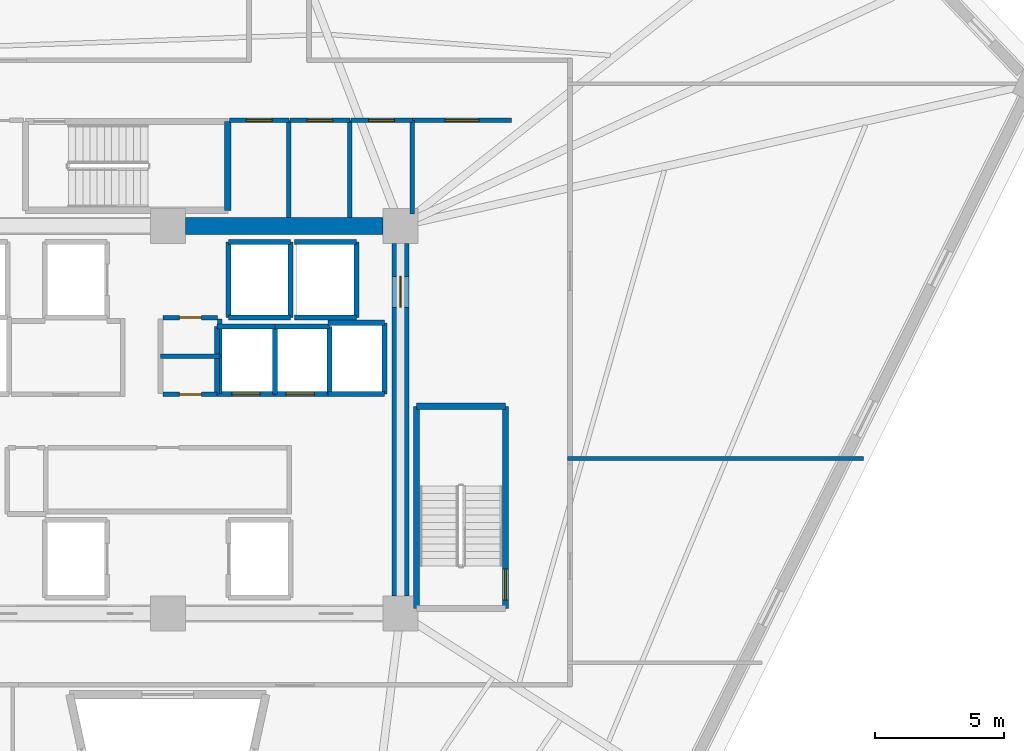
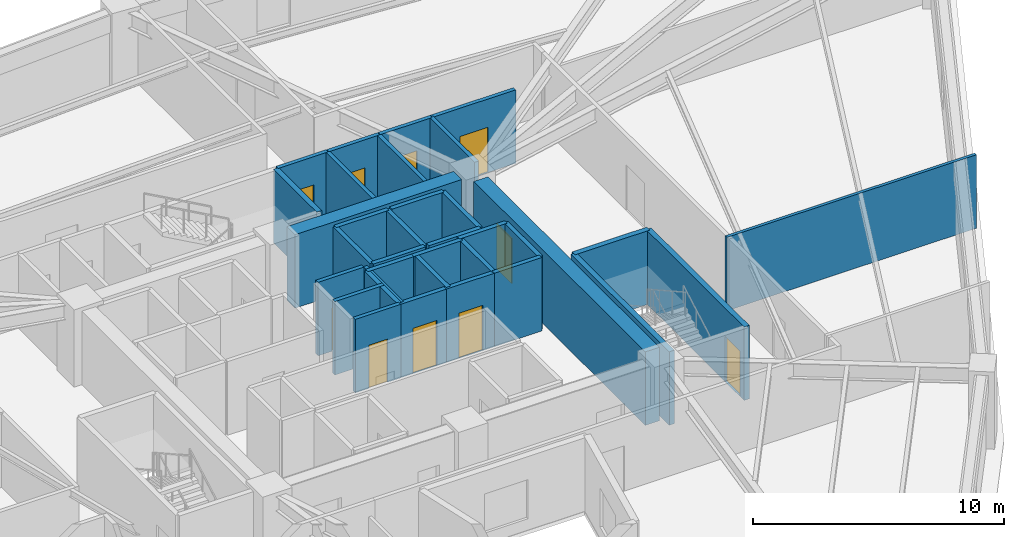
# One storey, part 6 of 8: 35 walls, 10 doors, 10 openings.
"""IFC4 building model written with IfcOpenShell, lengths in metres."""

from ifc_helpers import new_model, si_unit, direction, frame, frame_2d, origin, place, context, subcontext, project, spatial, rectangle, extrude, source, transform, mapped, material, layer, layer_set, type_object, element, fill, save


model = new_model("IFC4")

# Units and contexts
model_context = context("Model", 3, precision=1e-05, world=origin(), true_north=direction((0.0, 1.0)))
body_context = subcontext(model_context, "Body", "Model", "MODEL_VIEW")
ifc_project = project(units=[si_unit("LENGTHUNIT", "METRE"), si_unit("AREAUNIT", "SQUARE_METRE"), si_unit("VOLUMEUNIT", "CUBIC_METRE"), si_unit("PLANEANGLEUNIT", "RADIAN"), si_unit("MASSUNIT", "GRAM", prefix="KILO")], contexts=[model_context])

# Site, building, storey
site_placement = place(None, origin())
site = spatial("IfcSite", under=ifc_project, at=site_placement, CompositionType="ELEMENT")
building_placement = place(site_placement, origin())
building = spatial("IfcBuilding", under=site, at=building_placement, Name="Liaohun Quay Tower", CompositionType="ELEMENT")
storey_placement = place(building_placement, frame((0.0, 0.0, 213.0)))
storey = spatial("IfcBuildingStorey", under=building, at=storey_placement, Name="L55", CompositionType="ELEMENT", Elevation=213.0)

# Wall
ifc_material_1 = material(Name="Concrete C55", Category="concrete")
ifc_layer_1 = layer(ifc_material_1, 0.64990234375, Name="Concrete C55", Category="concrete")
ifc_layer_set_1 = layer_set([ifc_layer_1], Name="Concrete C55")
wall_type_1 = type_object("IfcWallType", Name="WAL-COR-Z3", PredefinedType="SHEAR", material=ifc_layer_set_1)
wall_1_placement = place(storey_placement, frame((60.675048828125, 61.5, 0.0), z_axis=(0.0, 0.0, 1.0), x_axis=(1.0, 0.0, 0.0)))
element("IfcWall", 1, at=wall_1_placement, inside=storey, type_object=wall_type_1, Name="L55 Central Core Shear Wall N-E", PredefinedType="SHEAR", context=body_context, shape_type="SweptSolid", body=[
    extrude(rectangle(XDim=7.64990234375, YDim=0.64990234375, at=frame_2d((3.824951171875, 0.0))), origin(), (0.0, 0.0, 1.0), 3.570068359375),
])

# Wall, opening, door
wall_2_placement = place(storey_placement, frame((69.0, 60.824951171875, 0.0), z_axis=(0.0, 0.0, 1.0), x_axis=(0.0, -1.0, 0.0)))
wall_2 = element("IfcWall", 2, at=wall_2_placement, inside=storey, type_object=wall_type_1, Name="L55 Central Core Shear Wall E", PredefinedType="SHEAR", context=body_context, shape_type="SweptSolid", body=[
    extrude(rectangle(XDim=13.64990234375, YDim=0.64990234375, at=frame_2d((6.824951171875, 0.0))), origin(), (0.0, 0.0, 1.0), 3.570068359375),
])
shared_shape_1 = source(origin(), body_context, "Body", "SweptSolid", [
    extrude(rectangle(XDim=1.199951171875, YDim=2.199951171875, at=frame_2d((0.60009765625, 1.10009765625))), frame((0.0, 0.3349609375, 0.0), z_axis=(0.0, -1.0, 0.0), x_axis=(1.0, 0.0, 0.0)), (0.0, 0.0, 1.0), 0.669921875),
])
opening_1_placement = place(wall_2_placement, frame((1.27490234375, 0.0, 0.0)))
opening_1 = element("IfcOpeningElement", 3, at=opening_1_placement, cuts=wall_2, Name="Opening SD1", PredefinedType="OPENING", context=body_context, shape_type="MappedRepresentation", body=[
    mapped(shared_shape_1, transform((0.0, 0.0, 0.0), x_axis=(1.0, 0.0, 0.0), y_axis=(0.0, 1.0, 0.0), z_axis=(0.0, 0.0, 1.0), scale=1.0)),
])
ifc_material_2 = material(Name="Galvanised steel fire door", Category="steel")
door_type_1 = type_object("IfcDoorType", Name="DOR-STR-1200", OperationType="NOTDEFINED", PredefinedType="DOOR", material=ifc_material_2)
shared_shape_2 = source(origin(), body_context, "Body", "SweptSolid", [
    extrude(rectangle(XDim=1.199951171875, YDim=2.199951171875, at=frame_2d((0.60009765625, 1.10009765625))), frame((0.0, 0.02490234375, 0.0), z_axis=(0.0, -1.0, 0.0), x_axis=(1.0, 0.0, 0.0)), (0.0, 0.0, 1.0), 0.050048828125),
])
door_1_placement = place(opening_1_placement, origin())
door_1 = element("IfcDoor", 4, at=door_1_placement, inside=storey, type_object=door_type_1, Name="L55 North-East Core Lobby Smokeproof Door", OperationType="SINGLE_SWING_LEFT", OverallHeight=2.199951171875, OverallWidth=1.199951171875, PredefinedType="DOOR", context=body_context, shape_type="MappedRepresentation", body=[
    mapped(shared_shape_2, transform((0.0, 0.0, 0.0), x_axis=(1.0, 0.0, 0.0), y_axis=(0.0, 1.0, 0.0), z_axis=(0.0, 0.0, 1.0), scale=1.0)),
])
fill(opening_1, door_1)

ifc_material_3 = material(Name="Autoclaved aerated concrete blockwork", Category="masonry")
ifc_layer_2 = layer(ifc_material_3, 0.179931640625, Name="Autoclaved aerated concrete blockwork", Category="masonry")
ifc_layer_set_2 = layer_set([ifc_layer_2], Name="Autoclaved aerated concrete blockwork")
wall_type_2 = type_object("IfcWallType", Name="WAL-PRT-COR", PredefinedType="PARTITIONING", material=ifc_layer_set_2)
wall_3_placement = place(storey_placement, frame((59.81005859375, 54.97998046875, 0.0), z_axis=(0.0, 0.0, 1.0), x_axis=(1.0, 0.0, 0.0)))
wall_3 = element("IfcWall", 5, at=wall_3_placement, inside=storey, type_object=wall_type_2, Name="L55 Interior Partition Wall 003", PredefinedType="PARTITIONING", context=body_context, shape_type="SweptSolid", body=[
    extrude(rectangle(XDim=2.08984375, YDim=0.179931640625, at=frame_2d((1.044921875, 0.0))), origin(), (0.0, 0.0, 1.0), 3.570068359375),
])
shared_shape_3 = source(origin(), body_context, "Body", "SweptSolid", [
    extrude(rectangle(XDim=0.85009765625, YDim=2.10009765625, at=frame_2d((0.425048828125, 1.050048828125))), frame((0.0, 0.099853515625, 0.0), z_axis=(0.0, -1.0, 0.0), x_axis=(1.0, 0.0, 0.0)), (0.0, 0.0, 1.0), 0.199951171875),
])
opening_2_placement = place(wall_3_placement, frame((0.635009765625, 0.0, 0.0)))
opening_2 = element("IfcOpeningElement", 6, at=opening_2_placement, cuts=wall_3, Name="Opening AD1", PredefinedType="OPENING", context=body_context, shape_type="MappedRepresentation", body=[
    mapped(shared_shape_3, transform((0.0, 0.0, 0.0), x_axis=(1.0, 0.0, 0.0), y_axis=(0.0, 1.0, 0.0), z_axis=(0.0, 0.0, 1.0), scale=1.0)),
])
ifc_material_4 = material(Name="Steel riser inspection fire door", Category="steel")
door_type_2 = type_object("IfcDoorType", Name="DOR-SHF-850", OperationType="NOTDEFINED", PredefinedType="DOOR", material=ifc_material_4)
shared_shape_4 = source(origin(), body_context, "Body", "SweptSolid", [
    extrude(rectangle(XDim=0.85009765625, YDim=2.10009765625, at=frame_2d((0.425048828125, 1.050048828125))), frame((0.0, 0.02490234375, 0.0), z_axis=(0.0, -1.0, 0.0), x_axis=(1.0, 0.0, 0.0)), (0.0, 0.0, 1.0), 0.050048828125),
])
door_2_placement = place(opening_2_placement, origin())
door_2 = element("IfcDoor", 7, at=door_2_placement, inside=storey, type_object=door_type_2, Name="L55 Electrical Riser Room Door", OperationType="SINGLE_SWING_RIGHT", OverallHeight=2.10009765625, OverallWidth=0.85009765625, PredefinedType="DOOR", context=body_context, shape_type="MappedRepresentation", body=[
    mapped(shared_shape_4, transform((0.0, 0.0, 0.0), x_axis=(1.0, 0.0, 0.0), y_axis=(0.0, 1.0, 0.0), z_axis=(0.0, 0.0, 1.0), scale=1.0)),
])
fill(opening_2, door_2)

wall_4_placement = place(storey_placement, frame((59.81005859375, 57.949951171875, 0.0), z_axis=(0.0, 0.0, 1.0), x_axis=(1.0, 0.0, 0.0)))
wall_4 = element("IfcWall", 8, at=wall_4_placement, inside=storey, type_object=wall_type_2, Name="L55 Interior Partition Wall 004", PredefinedType="PARTITIONING", context=body_context, shape_type="SweptSolid", body=[
    extrude(rectangle(XDim=2.10986328125, YDim=0.179931640625, at=frame_2d((1.054931640625, 0.0))), origin(), (0.0, 0.0, 1.0), 3.570068359375),
])
opening_3_placement = place(wall_4_placement, frame((0.635009765625, 0.0, 0.0)))
opening_3 = element("IfcOpeningElement", 9, at=opening_3_placement, cuts=wall_4, Name="Opening AD1", PredefinedType="OPENING", context=body_context, shape_type="MappedRepresentation", body=[
    mapped(shared_shape_3, transform((0.0, 0.0, 0.0), x_axis=(1.0, 0.0, 0.0), y_axis=(0.0, 1.0, 0.0), z_axis=(0.0, 0.0, 1.0), scale=1.0)),
])
door_3_placement = place(opening_3_placement, origin())
door_3 = element("IfcDoor", 10, at=door_3_placement, inside=storey, type_object=door_type_2, Name="L55 Telecom Comms Closet Door", OperationType="SINGLE_SWING_LEFT", OverallHeight=2.10009765625, OverallWidth=0.85009765625, PredefinedType="DOOR", context=body_context, shape_type="MappedRepresentation", body=[
    mapped(shared_shape_4, transform((0.0, 0.0, 0.0), x_axis=(1.0, 0.0, 0.0), y_axis=(0.0, 1.0, 0.0), z_axis=(0.0, 0.0, 1.0), scale=1.0)),
])
fill(opening_3, door_3)

wall_5_placement = place(storey_placement, frame((62.389892578125, 65.580078125, 0.0), z_axis=(0.0, 0.0, 1.0), x_axis=(1.0, 0.0, 0.0)))
wall_5 = element("IfcWall", 11, at=wall_5_placement, inside=storey, type_object=wall_type_2, Name="L55 Interior Partition Wall 011", PredefinedType="PARTITIONING", context=body_context, shape_type="SweptSolid", body=[
    extrude(rectangle(XDim=2.2900390625, YDim=0.179931640625, at=frame_2d((1.14501953125, 0.0))), origin(), (0.0, 0.0, 1.0), 3.570068359375),
])
shared_shape_5 = source(origin(), body_context, "Body", "SweptSolid", [
    extrude(rectangle(XDim=1.0, YDim=2.199951171875, at=frame_2d((0.5, 1.10009765625))), frame((0.0, 0.099853515625, 0.0), z_axis=(0.0, -1.0, 0.0), x_axis=(1.0, 0.0, 0.0)), (0.0, 0.0, 1.0), 0.199951171875),
])
opening_4_placement = place(wall_5_placement, frame((0.64501953125, 0.0, 0.0)))
opening_4 = element("IfcOpeningElement", 12, at=opening_4_placement, cuts=wall_5, Name="Opening OD1", PredefinedType="OPENING", context=body_context, shape_type="MappedRepresentation", body=[
    mapped(shared_shape_5, transform((0.0, 0.0, 0.0), x_axis=(1.0, 0.0, 0.0), y_axis=(0.0, 1.0, 0.0), z_axis=(0.0, 0.0, 1.0), scale=1.0)),
])
ifc_material_5 = material(Name="Solid-core oak veneer timber leaf in steel frame", Category="steel")
door_type_3 = type_object("IfcDoorType", Name="DOR-OFF-1000", OperationType="NOTDEFINED", PredefinedType="DOOR", material=ifc_material_5)
shared_shape_6 = source(origin(), body_context, "Body", "SweptSolid", [
    extrude(rectangle(XDim=1.0, YDim=2.199951171875, at=frame_2d((0.5, 1.10009765625))), frame((0.0, 0.02490234375, 0.0), z_axis=(0.0, -1.0, 0.0), x_axis=(1.0, 0.0, 0.0)), (0.0, 0.0, 1.0), 0.050048828125),
])
door_4_placement = place(opening_4_placement, origin())
door_4 = element("IfcDoor", 13, at=door_4_placement, inside=storey, type_object=door_type_3, Name="L55 North-East Mail Store Door", OperationType="SINGLE_SWING_RIGHT", OverallHeight=2.199951171875, OverallWidth=1.0, PredefinedType="DOOR", context=body_context, shape_type="MappedRepresentation", body=[
    mapped(shared_shape_6, transform((0.0, 0.0, 0.0), x_axis=(1.0, 0.0, 0.0), y_axis=(0.0, 1.0, 0.0), z_axis=(0.0, 0.0, 1.0), scale=1.0)),
])
fill(opening_4, door_4)

wall_6_placement = place(storey_placement, frame((64.719970703125, 65.580078125, 0.0), z_axis=(0.0, 0.0, 1.0), x_axis=(1.0, 0.0, 0.0)))
wall_6 = element("IfcWall", 14, at=wall_6_placement, inside=storey, type_object=wall_type_2, Name="L55 Interior Partition Wall 012", PredefinedType="PARTITIONING", context=body_context, shape_type="SweptSolid", body=[
    extrude(rectangle(XDim=2.320068359375, YDim=0.179931640625, at=frame_2d((1.16015625, 0.0))), origin(), (0.0, 0.0, 1.0), 3.570068359375),
])
opening_5_placement = place(wall_6_placement, frame((0.659912109375, 0.0, 0.0)))
opening_5 = element("IfcOpeningElement", 15, at=opening_5_placement, cuts=wall_6, Name="Opening OD1", PredefinedType="OPENING", context=body_context, shape_type="MappedRepresentation", body=[
    mapped(shared_shape_5, transform((0.0, 0.0, 0.0), x_axis=(1.0, 0.0, 0.0), y_axis=(0.0, 1.0, 0.0), z_axis=(0.0, 0.0, 1.0), scale=1.0)),
])
door_5_placement = place(opening_5_placement, origin())
door_5 = element("IfcDoor", 16, at=door_5_placement, inside=storey, type_object=door_type_3, Name="L55 North-East Comms Room Door", OperationType="SINGLE_SWING_LEFT", OverallHeight=2.199951171875, OverallWidth=1.0, PredefinedType="DOOR", context=body_context, shape_type="MappedRepresentation", body=[
    mapped(shared_shape_6, transform((0.0, 0.0, 0.0), x_axis=(1.0, 0.0, 0.0), y_axis=(0.0, 1.0, 0.0), z_axis=(0.0, 0.0, 1.0), scale=1.0)),
])
fill(opening_5, door_5)

wall_7_placement = place(storey_placement, frame((67.080078125, 65.580078125, 0.0), z_axis=(0.0, 0.0, 1.0), x_axis=(1.0, 0.0, 0.0)))
wall_7 = element("IfcWall", 17, at=wall_7_placement, inside=storey, type_object=wall_type_2, Name="L55 Interior Partition Wall 013", PredefinedType="PARTITIONING", context=body_context, shape_type="SweptSolid", body=[
    extrude(rectangle(XDim=2.3798828125, YDim=0.179931640625, at=frame_2d((1.18994140625, 0.0))), origin(), (0.0, 0.0, 1.0), 3.570068359375),
])
opening_6_placement = place(wall_7_placement, frame((0.68994140625, 0.0, 0.0)))
opening_6 = element("IfcOpeningElement", 18, at=opening_6_placement, cuts=wall_7, Name="Opening OD1", PredefinedType="OPENING", context=body_context, shape_type="MappedRepresentation", body=[
    mapped(shared_shape_5, transform((0.0, 0.0, 0.0), x_axis=(1.0, 0.0, 0.0), y_axis=(0.0, 1.0, 0.0), z_axis=(0.0, 0.0, 1.0), scale=1.0)),
])
door_6_placement = place(opening_6_placement, origin())
door_6 = element("IfcDoor", 19, at=door_6_placement, inside=storey, type_object=door_type_3, Name="L55 North-East Cleaner Store Door", OperationType="SINGLE_SWING_RIGHT", OverallHeight=2.199951171875, OverallWidth=1.0, PredefinedType="DOOR", context=body_context, shape_type="MappedRepresentation", body=[
    mapped(shared_shape_6, transform((0.0, 0.0, 0.0), x_axis=(1.0, 0.0, 0.0), y_axis=(0.0, 1.0, 0.0), z_axis=(0.0, 0.0, 1.0), scale=1.0)),
])
fill(opening_6, door_6)

wall_8_placement = place(storey_placement, frame((69.4599609375, 65.580078125, 0.0), z_axis=(0.0, 0.0, 1.0), x_axis=(1.0, 0.0, 0.0)))
wall_8 = element("IfcWall", 20, at=wall_8_placement, inside=storey, type_object=wall_type_2, Name="L55 Interior Partition Wall 015", PredefinedType="PARTITIONING", context=body_context, shape_type="SweptSolid", body=[
    extrude(rectangle(XDim=3.840087890625, YDim=0.179931640625, at=frame_2d((1.919921875, 0.0))), origin(), (0.0, 0.0, 1.0), 3.570068359375),
])
shared_shape_7 = source(origin(), body_context, "Body", "SweptSolid", [
    extrude(rectangle(XDim=1.300048828125, YDim=2.199951171875, at=frame_2d((0.64990234375, 1.10009765625))), frame((0.0, 0.099853515625, 0.0), z_axis=(0.0, -1.0, 0.0), x_axis=(1.0, 0.0, 0.0)), (0.0, 0.0, 1.0), 0.199951171875),
])
opening_7_placement = place(wall_8_placement, frame((1.27001953125, 0.0, 0.0)))
opening_7 = element("IfcOpeningElement", 21, at=opening_7_placement, cuts=wall_8, Name="Opening FD1", PredefinedType="OPENING", context=body_context, shape_type="MappedRepresentation", body=[
    mapped(shared_shape_7, transform((0.0, 0.0, 0.0), x_axis=(1.0, 0.0, 0.0), y_axis=(0.0, 1.0, 0.0), z_axis=(0.0, 0.0, 1.0), scale=1.0)),
])
ifc_material_6 = material(Name="Galvanised steel smokeproof fire door", Category="steel")
door_type_4 = type_object("IfcDoorType", Name="DOR-FFL-1300", OperationType="NOTDEFINED", PredefinedType="DOOR", material=ifc_material_6)
shared_shape_8 = source(origin(), body_context, "Body", "SweptSolid", [
    extrude(rectangle(XDim=1.300048828125, YDim=2.199951171875, at=frame_2d((0.64990234375, 1.10009765625))), frame((0.0, 0.02490234375, 0.0), z_axis=(0.0, -1.0, 0.0), x_axis=(1.0, 0.0, 0.0)), (0.0, 0.0, 1.0), 0.050048828125),
])
door_7_placement = place(opening_7_placement, origin())
door_7 = element("IfcDoor", 22, at=door_7_placement, inside=storey, type_object=door_type_4, Name="L55 East Core Vestibule Door", OperationType="SINGLE_SWING_RIGHT", OverallHeight=2.199951171875, OverallWidth=1.300048828125, PredefinedType="DOOR", context=body_context, shape_type="MappedRepresentation", body=[
    mapped(shared_shape_8, transform((0.0, 0.0, 0.0), x_axis=(1.0, 0.0, 0.0), y_axis=(0.0, 1.0, 0.0), z_axis=(0.0, 0.0, 1.0), scale=1.0)),
])
fill(opening_7, door_7)

# Walls
wall_9_placement = place(storey_placement, frame((62.010009765625, 55.02001953125, 0.0), z_axis=(0.0, 0.0, 1.0), x_axis=(0.0, 1.0, 0.0)))
element("IfcWall", 23, at=wall_9_placement, inside=storey, type_object=wall_type_2, Name="L55 Interior Partition Wall 025", PredefinedType="PARTITIONING", context=body_context, shape_type="SweptSolid", body=[
    extrude(rectangle(XDim=2.8798828125, YDim=0.179931640625, at=frame_2d((1.43994140625, 0.0))), origin(), (0.0, 0.0, 1.0), 3.570068359375),
])
wall_10_placement = place(storey_placement, frame((59.719970703125, 56.4599609375, 0.0), z_axis=(0.0, 0.0, 1.0), x_axis=(1.0, 0.0, 0.0)))
element("IfcWall", 24, at=wall_10_placement, inside=storey, type_object=wall_type_2, Name="L55 Interior Partition Wall 026", PredefinedType="PARTITIONING", context=body_context, shape_type="SweptSolid", body=[
    extrude(rectangle(XDim=2.2900390625, YDim=0.179931640625, at=frame_2d((1.14501953125, 0.0))), origin(), (0.0, 0.0, 1.0), 3.570068359375),
])
for number, where, z_axis, x_axis, name in (
    (25, (64.679931640625, 61.824951171875, 0.0), (0.0, 0.0, 1.0), (0.0, 1.0, 0.0), "L55 Interior Partition Wall 037"),
    (26, (67.0400390625, 61.824951171875, 0.0), (0.0, 0.0, 1.0), (0.0, 1.0, 0.0), "L55 Interior Partition Wall 038"),
):
    element("IfcWall", number, at=place(storey_placement, frame(where, z_axis=z_axis, x_axis=x_axis)), inside=storey, type_object=wall_type_2, Name=name, PredefinedType="PARTITIONING", context=body_context, shape_type="SweptSolid", body=[
        extrude(rectangle(XDim=3.755126953125, YDim=0.179931640625, at=frame_2d((1.87744140625, 0.0))), origin(), (0.0, 0.0, 1.0), 3.570068359375),
    ])
wall_11_placement = place(storey_placement, frame((69.4599609375, 61.949951171875, 0.0), z_axis=(0.0, 0.0, 1.0), x_axis=(0.0, 1.0, 0.0)))
element("IfcWall", 27, at=wall_11_placement, inside=storey, type_object=wall_type_2, Name="L55 Interior Partition Wall 039", PredefinedType="PARTITIONING", context=body_context, shape_type="SweptSolid", body=[
    extrude(rectangle(XDim=3.630126953125, YDim=0.179931640625, at=frame_2d((1.81494140625, 0.0))), origin(), (0.0, 0.0, 1.0), 3.570068359375),
])
ifc_material_7 = material(Name="Gypsum board on twin steel studs", Category="steel")
ifc_layer_3 = layer(ifc_material_7, 0.139892578125, Name="Gypsum board on twin steel studs", Category="steel")
ifc_layer_set_3 = layer_set([ifc_layer_3], Name="Gypsum board on twin steel studs")
wall_type_3 = type_object("IfcWallType", Name="WAL-PRT-OFF", PredefinedType="PARTITIONING", material=ifc_layer_set_3)
wall_12_placement = place(storey_placement, frame((75.4599609375, 52.5, 0.0), z_axis=(0.0, 0.0, 1.0), x_axis=(1.0, 0.0, 0.0)))
element("IfcWall", 28, at=wall_12_placement, inside=storey, type_object=wall_type_3, Name="L55 Interior Partition Wall 052", PredefinedType="PARTITIONING", context=body_context, shape_type="SweptSolid", body=[
    extrude(rectangle(XDim=11.4521484375, YDim=0.139892578125, at=frame_2d((5.72607421875, 0.0))), origin(), (0.0, 0.0, 1.0), 3.570068359375),
])

# Wall, opening, door
ifc_material_8 = material(Name="Concrete C50", Category="concrete")
ifc_layer_4 = layer(ifc_material_8, 0.239990234375, Name="Concrete C50", Category="concrete")
ifc_layer_set_4 = layer_set([ifc_layer_4], Name="Concrete C50")
wall_type_4 = type_object("IfcWallType", Name="WAL-SHF-200", PredefinedType="SOLIDWALL", material=ifc_layer_set_4)
wall_13_placement = place(storey_placement, frame((73.06005859375, 46.699951171875, 0.0), z_axis=(0.0, 0.0, 1.0), x_axis=(0.0, 1.0, 0.0)))
wall_13 = element("IfcWall", 29, at=wall_13_placement, inside=storey, type_object=wall_type_4, Name="L55 Stairwell ST-2 Structural Core Wall E", PredefinedType="SOLIDWALL", context=body_context, shape_type="SweptSolid", body=[
    extrude(rectangle(XDim=7.820068359375, YDim=0.239990234375, at=frame_2d((3.91015625, 0.0))), origin(), (0.0, 0.0, 1.0), 3.570068359375),
])
shared_shape_9 = source(origin(), body_context, "Body", "SweptSolid", [
    extrude(rectangle(XDim=1.199951171875, YDim=2.199951171875, at=frame_2d((0.60009765625, 1.10009765625))), frame((0.0, 0.1298828125, 0.0), z_axis=(0.0, -1.0, 0.0), x_axis=(1.0, 0.0, 0.0)), (0.0, 0.0, 1.0), 0.260009765625),
])
opening_8_placement = place(wall_13_placement, frame((0.320068359375, 0.0, 0.0)))
opening_8 = element("IfcOpeningElement", 30, at=opening_8_placement, cuts=wall_13, Name="Opening SD1", PredefinedType="OPENING", context=body_context, shape_type="MappedRepresentation", body=[
    mapped(shared_shape_9, transform((0.0, 0.0, 0.0), x_axis=(1.0, 0.0, 0.0), y_axis=(0.0, 1.0, 0.0), z_axis=(0.0, 0.0, 1.0), scale=1.0)),
])
door_8_placement = place(opening_8_placement, origin())
door_8 = element("IfcDoor", 31, at=door_8_placement, inside=storey, type_object=door_type_1, Name="L55 Protected Stair ST-2 Fire Door", OperationType="SINGLE_SWING_RIGHT", OverallHeight=2.199951171875, OverallWidth=1.199951171875, PredefinedType="DOOR", context=body_context, shape_type="MappedRepresentation", body=[
    mapped(shared_shape_2, transform((0.0, 0.0, 0.0), x_axis=(1.0, 0.0, 0.0), y_axis=(0.0, 1.0, 0.0), z_axis=(0.0, 0.0, 1.0), scale=1.0)),
])
fill(opening_8, door_8)

# Walls
wall_14_placement = place(storey_placement, frame((73.06005859375, 54.52001953125, 0.0), z_axis=(0.0, 0.0, 1.0), x_axis=(-1.0, 0.0, 0.0)))
element("IfcWall", 32, at=wall_14_placement, inside=storey, type_object=wall_type_4, Name="L55 Stairwell ST-2 Structural Core Wall N", PredefinedType="SOLIDWALL", context=body_context, shape_type="SweptSolid", body=[
    extrude(rectangle(XDim=3.43994140625, YDim=0.239990234375, at=frame_2d((1.719970703125, 0.0))), origin(), (0.0, 0.0, 1.0), 3.570068359375),
])
wall_15_placement = place(storey_placement, frame((69.6201171875, 54.52001953125, 0.0), z_axis=(0.0, 0.0, 1.0), x_axis=(0.0, -1.0, 0.0)))
element("IfcWall", 33, at=wall_15_placement, inside=storey, type_object=wall_type_4, Name="L55 Stairwell ST-2 Structural Core Wall W", PredefinedType="SOLIDWALL", context=body_context, shape_type="SweptSolid", body=[
    extrude(rectangle(XDim=7.820068359375, YDim=0.239990234375, at=frame_2d((3.91015625, 0.0))), origin(), (0.0, 0.0, 1.0), 3.570068359375),
])
wall_16_placement = place(storey_placement, frame((62.320068359375, 62.10009765625, 0.0), z_axis=(0.0, 0.0, 1.0), x_axis=(0.0, 1.0, 0.0)))
element("IfcWall", 34, at=wall_16_placement, inside=storey, type_object=wall_type_4, Name="L55 Stairwell ST-3 Structural Core Wall E", PredefinedType="SOLIDWALL", context=body_context, shape_type="SweptSolid", body=[
    extrude(rectangle(XDim=3.43994140625, YDim=0.239990234375, at=frame_2d((1.719970703125, 0.0))), origin(), (0.0, 0.0, 1.0), 3.570068359375),
])
wall_17_placement = place(storey_placement, frame((62.35009765625, 57.949951171875, 0.0), z_axis=(0.0, 0.0, 1.0), x_axis=(1.0, 0.0, 0.0)))
element("IfcWall", 35, at=wall_17_placement, inside=storey, type_object=wall_type_4, Name="L55 Lift OB-01 Hoistway Wall S", PredefinedType="SOLIDWALL", context=body_context, shape_type="SweptSolid", body=[
    extrude(rectangle(XDim=2.39990234375, YDim=0.199951171875, at=frame_2d((1.199951171875, 0.0))), origin(), (0.0, 0.0, 1.0), 3.570068359375),
])
wall_18_placement = place(storey_placement, frame((64.75, 57.949951171875, 0.0), z_axis=(0.0, 0.0, 1.0), x_axis=(0.0, 1.0, 0.0)))
element("IfcWall", 36, at=wall_18_placement, inside=storey, type_object=wall_type_4, Name="L55 Lift OB-01 Hoistway Wall E", PredefinedType="SOLIDWALL", context=body_context, shape_type="SweptSolid", body=[
    extrude(rectangle(XDim=2.929931640625, YDim=0.199951171875, at=frame_2d((1.46484375, 0.0))), origin(), (0.0, 0.0, 1.0), 3.570068359375),
])
wall_19_placement = place(storey_placement, frame((64.75, 60.8798828125, 0.0), z_axis=(0.0, 0.0, 1.0), x_axis=(-1.0, 0.0, 0.0)))
element("IfcWall", 37, at=wall_19_placement, inside=storey, type_object=wall_type_4, Name="L55 Lift OB-01 Hoistway Wall N", PredefinedType="SOLIDWALL", context=body_context, shape_type="SweptSolid", body=[
    extrude(rectangle(XDim=2.39990234375, YDim=0.199951171875, at=frame_2d((1.199951171875, 0.0))), origin(), (0.0, 0.0, 1.0), 3.570068359375),
])
wall_20_placement = place(storey_placement, frame((62.35009765625, 60.8798828125, 0.0), z_axis=(0.0, 0.0, 1.0), x_axis=(0.0, -1.0, 0.0)))
element("IfcWall", 38, at=wall_20_placement, inside=storey, type_object=wall_type_4, Name="L55 Lift OB-01 Hoistway Wall W", PredefinedType="SOLIDWALL", context=body_context, shape_type="SweptSolid", body=[
    extrude(rectangle(XDim=2.929931640625, YDim=0.199951171875, at=frame_2d((1.46484375, 0.0))), origin(), (0.0, 0.0, 1.0), 3.570068359375),
])
wall_21_placement = place(storey_placement, frame((64.89990234375, 57.949951171875, 0.0), z_axis=(0.0, 0.0, 1.0), x_axis=(1.0, 0.0, 0.0)))
element("IfcWall", 39, at=wall_21_placement, inside=storey, type_object=wall_type_4, Name="L55 Lift OB-02 Hoistway Wall S", PredefinedType="SOLIDWALL", context=body_context, shape_type="SweptSolid", body=[
    extrude(rectangle(XDim=2.400146484375, YDim=0.199951171875, at=frame_2d((1.2001953125, 0.0))), origin(), (0.0, 0.0, 1.0), 3.570068359375),
])
wall_22_placement = place(storey_placement, frame((67.300048828125, 57.949951171875, 0.0), z_axis=(0.0, 0.0, 1.0), x_axis=(0.0, 1.0, 0.0)))
element("IfcWall", 40, at=wall_22_placement, inside=storey, type_object=wall_type_4, Name="L55 Lift OB-02 Hoistway Wall E", PredefinedType="SOLIDWALL", context=body_context, shape_type="SweptSolid", body=[
    extrude(rectangle(XDim=2.929931640625, YDim=0.199951171875, at=frame_2d((1.46484375, 0.0))), origin(), (0.0, 0.0, 1.0), 3.570068359375),
])
wall_23_placement = place(storey_placement, frame((67.300048828125, 60.8798828125, 0.0), z_axis=(0.0, 0.0, 1.0), x_axis=(-1.0, 0.0, 0.0)))
element("IfcWall", 41, at=wall_23_placement, inside=storey, type_object=wall_type_4, Name="L55 Lift OB-02 Hoistway Wall N", PredefinedType="SOLIDWALL", context=body_context, shape_type="SweptSolid", body=[
    extrude(rectangle(XDim=2.400146484375, YDim=0.199951171875, at=frame_2d((1.2001953125, 0.0))), origin(), (0.0, 0.0, 1.0), 3.570068359375),
])
wall_24_placement = place(storey_placement, frame((66.199951171875, 55.0, 0.0), z_axis=(0.0, 0.0, 1.0), x_axis=(1.0, 0.0, 0.0)))
element("IfcWall", 42, at=wall_24_placement, inside=storey, type_object=wall_type_4, Name="L55 Lift SH-03 Hoistway Wall S", PredefinedType="SOLIDWALL", context=body_context, shape_type="SweptSolid", body=[
    extrude(rectangle(XDim=2.179931640625, YDim=0.199951171875, at=frame_2d((1.08984375, 0.0))), origin(), (0.0, 0.0, 1.0), 3.570068359375),
])
wall_25_placement = place(storey_placement, frame((68.3798828125, 55.0, 0.0), z_axis=(0.0, 0.0, 1.0), x_axis=(0.0, 1.0, 0.0)))
element("IfcWall", 43, at=wall_25_placement, inside=storey, type_object=wall_type_4, Name="L55 Lift SH-03 Hoistway Wall E", PredefinedType="SOLIDWALL", context=body_context, shape_type="SweptSolid", body=[
    extrude(rectangle(XDim=2.75, YDim=0.199951171875, at=frame_2d((1.375, 0.0))), origin(), (0.0, 0.0, 1.0), 3.570068359375),
])
wall_26_placement = place(storey_placement, frame((68.3798828125, 57.75, 0.0), z_axis=(0.0, 0.0, 1.0), x_axis=(-1.0, 0.0, 0.0)))
element("IfcWall", 44, at=wall_26_placement, inside=storey, type_object=wall_type_4, Name="L55 Lift SH-03 Hoistway Wall N", PredefinedType="SOLIDWALL", context=body_context, shape_type="SweptSolid", body=[
    extrude(rectangle(XDim=2.179931640625, YDim=0.199951171875, at=frame_2d((1.08984375, 0.0))), origin(), (0.0, 0.0, 1.0), 3.570068359375),
])

# Wall, opening, door
wall_27_placement = place(storey_placement, frame((61.89990234375, 55.0, 0.0), z_axis=(0.0, 0.0, 1.0), x_axis=(1.0, 0.0, 0.0)))
wall_27 = element("IfcWall", 45, at=wall_27_placement, inside=storey, type_object=wall_type_4, Name="L55 Lift PL-3A Hoistway Wall S", PredefinedType="SOLIDWALL", context=body_context, shape_type="SweptSolid", body=[
    extrude(rectangle(XDim=2.25, YDim=0.199951171875, at=frame_2d((1.125, 0.0))), origin(), (0.0, 0.0, 1.0), 3.570068359375),
])
shared_shape_10 = source(origin(), body_context, "Body", "SweptSolid", [
    extrude(rectangle(XDim=1.10009765625, YDim=2.199951171875, at=frame_2d((0.550048828125, 1.10009765625))), frame((0.0, 0.10986328125, 0.0), z_axis=(0.0, -1.0, 0.0), x_axis=(1.0, 0.0, 0.0)), (0.0, 0.0, 1.0), 0.219970703125),
])
opening_9_placement = place(wall_27_placement, frame((0.574951171875, 0.0, 0.0)))
opening_9 = element("IfcOpeningElement", 46, at=opening_9_placement, cuts=wall_27, Name="Opening LD1", PredefinedType="OPENING", context=body_context, shape_type="MappedRepresentation", body=[
    mapped(shared_shape_10, transform((0.0, 0.0, 0.0), x_axis=(1.0, 0.0, 0.0), y_axis=(0.0, 1.0, 0.0), z_axis=(0.0, 0.0, 1.0), scale=1.0)),
])
ifc_material_9 = material(Name="Brushed stainless steel landing door", Category="steel")
door_type_5 = type_object("IfcDoorType", Name="DOR-LFT-1100", OperationType="SLIDING_TO_LEFT", PredefinedType="DOOR", material=ifc_material_9)
shared_shape_11 = source(origin(), body_context, "Body", "SweptSolid", [
    extrude(rectangle(XDim=1.10009765625, YDim=2.199951171875, at=frame_2d((0.550048828125, 1.10009765625))), frame((0.0, 0.02490234375, 0.0), z_axis=(0.0, -1.0, 0.0), x_axis=(1.0, 0.0, 0.0)), (0.0, 0.0, 1.0), 0.050048828125),
])
door_9_placement = place(opening_9_placement, origin())
door_9 = element("IfcDoor", 47, at=door_9_placement, inside=storey, type_object=door_type_5, Name="L55 Lift PL-3A Sliding Landing Door", OperationType="SLIDING_TO_LEFT", OverallHeight=2.199951171875, OverallWidth=1.10009765625, PredefinedType="DOOR", context=body_context, shape_type="MappedRepresentation", body=[
    mapped(shared_shape_11, transform((0.0, 0.0, 0.0), x_axis=(1.0, 0.0, 0.0), y_axis=(0.0, 1.0, 0.0), z_axis=(0.0, 0.0, 1.0), scale=1.0)),
])
fill(opening_9, door_9)

# Walls
wall_28_placement = place(storey_placement, frame((64.14990234375, 55.0, 0.0), z_axis=(0.0, 0.0, 1.0), x_axis=(0.0, 1.0, 0.0)))
element("IfcWall", 48, at=wall_28_placement, inside=storey, type_object=wall_type_4, Name="L55 Lift PL-3A Hoistway Wall E", PredefinedType="SOLIDWALL", context=body_context, shape_type="SweptSolid", body=[
    extrude(rectangle(XDim=2.60009765625, YDim=0.199951171875, at=frame_2d((1.300048828125, 0.0))), origin(), (0.0, 0.0, 1.0), 3.570068359375),
])
wall_29_placement = place(storey_placement, frame((64.14990234375, 57.60009765625, 0.0), z_axis=(0.0, 0.0, 1.0), x_axis=(-1.0, 0.0, 0.0)))
element("IfcWall", 49, at=wall_29_placement, inside=storey, type_object=wall_type_4, Name="L55 Lift PL-3A Hoistway Wall N", PredefinedType="SOLIDWALL", context=body_context, shape_type="SweptSolid", body=[
    extrude(rectangle(XDim=2.25, YDim=0.199951171875, at=frame_2d((1.125, 0.0))), origin(), (0.0, 0.0, 1.0), 3.570068359375),
])
wall_30_placement = place(storey_placement, frame((61.89990234375, 57.60009765625, 0.0), z_axis=(0.0, 0.0, 1.0), x_axis=(0.0, -1.0, 0.0)))
element("IfcWall", 50, at=wall_30_placement, inside=storey, type_object=wall_type_4, Name="L55 Lift PL-3A Hoistway Wall W", PredefinedType="SOLIDWALL", context=body_context, shape_type="SweptSolid", body=[
    extrude(rectangle(XDim=2.60009765625, YDim=0.199951171875, at=frame_2d((1.300048828125, 0.0))), origin(), (0.0, 0.0, 1.0), 3.570068359375),
])

# Wall, opening, door
wall_31_placement = place(storey_placement, frame((64.0, 55.0, 0.0), z_axis=(0.0, 0.0, 1.0), x_axis=(1.0, 0.0, 0.0)))
wall_31 = element("IfcWall", 51, at=wall_31_placement, inside=storey, type_object=wall_type_4, Name="L55 Lift PL-3B Hoistway Wall S", PredefinedType="SOLIDWALL", context=body_context, shape_type="SweptSolid", body=[
    extrude(rectangle(XDim=2.25, YDim=0.199951171875, at=frame_2d((1.125, 0.0))), origin(), (0.0, 0.0, 1.0), 3.570068359375),
])
opening_10_placement = place(wall_31_placement, frame((0.574951171875, 0.0, 0.0)))
opening_10 = element("IfcOpeningElement", 52, at=opening_10_placement, cuts=wall_31, Name="Opening LD1", PredefinedType="OPENING", context=body_context, shape_type="MappedRepresentation", body=[
    mapped(shared_shape_10, transform((0.0, 0.0, 0.0), x_axis=(1.0, 0.0, 0.0), y_axis=(0.0, 1.0, 0.0), z_axis=(0.0, 0.0, 1.0), scale=1.0)),
])
door_10_placement = place(opening_10_placement, origin())
door_10 = element("IfcDoor", 53, at=door_10_placement, inside=storey, type_object=door_type_5, Name="L55 Lift PL-3B Sliding Landing Door", OperationType="SLIDING_TO_LEFT", OverallHeight=2.199951171875, OverallWidth=1.10009765625, PredefinedType="DOOR", context=body_context, shape_type="MappedRepresentation", body=[
    mapped(shared_shape_11, transform((0.0, 0.0, 0.0), x_axis=(1.0, 0.0, 0.0), y_axis=(0.0, 1.0, 0.0), z_axis=(0.0, 0.0, 1.0), scale=1.0)),
])
fill(opening_10, door_10)

# Walls
wall_32_placement = place(storey_placement, frame((66.25, 55.0, 0.0), z_axis=(0.0, 0.0, 1.0), x_axis=(0.0, 1.0, 0.0)))
element("IfcWall", 54, at=wall_32_placement, inside=storey, type_object=wall_type_4, Name="L55 Lift PL-3B Hoistway Wall E", PredefinedType="SOLIDWALL", context=body_context, shape_type="SweptSolid", body=[
    extrude(rectangle(XDim=2.60009765625, YDim=0.199951171875, at=frame_2d((1.300048828125, 0.0))), origin(), (0.0, 0.0, 1.0), 3.570068359375),
])
wall_33_placement = place(storey_placement, frame((66.25, 57.60009765625, 0.0), z_axis=(0.0, 0.0, 1.0), x_axis=(-1.0, 0.0, 0.0)))
element("IfcWall", 55, at=wall_33_placement, inside=storey, type_object=wall_type_4, Name="L55 Lift PL-3B Hoistway Wall N", PredefinedType="SOLIDWALL", context=body_context, shape_type="SweptSolid", body=[
    extrude(rectangle(XDim=2.25, YDim=0.199951171875, at=frame_2d((1.125, 0.0))), origin(), (0.0, 0.0, 1.0), 3.570068359375),
])

save(model, "model.ifc")
